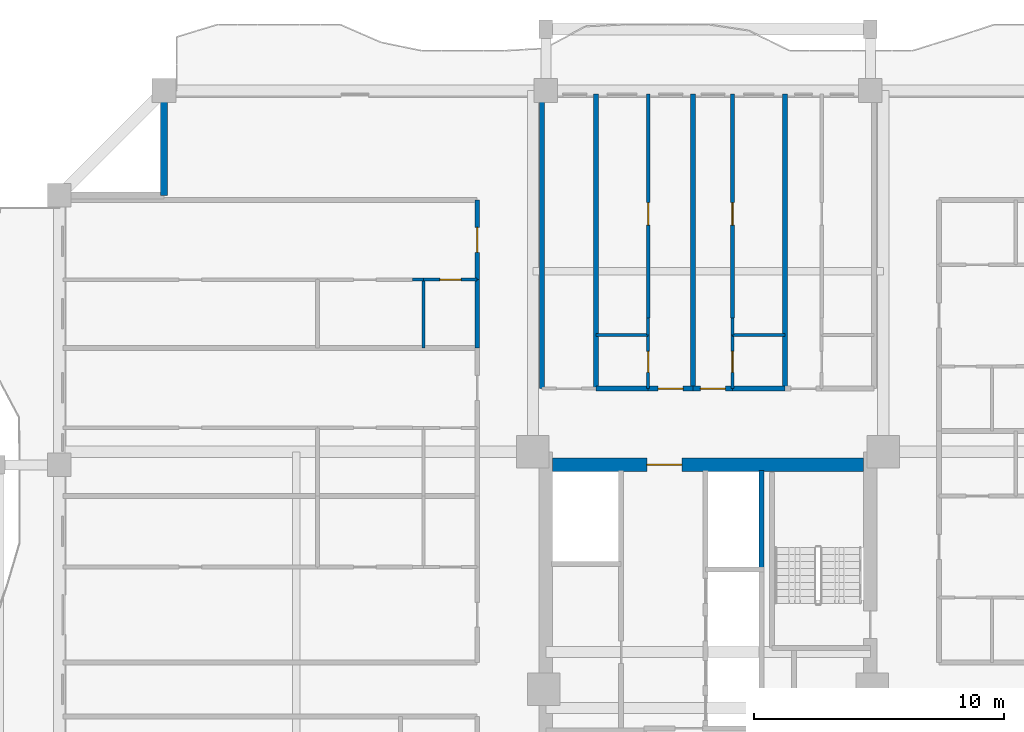
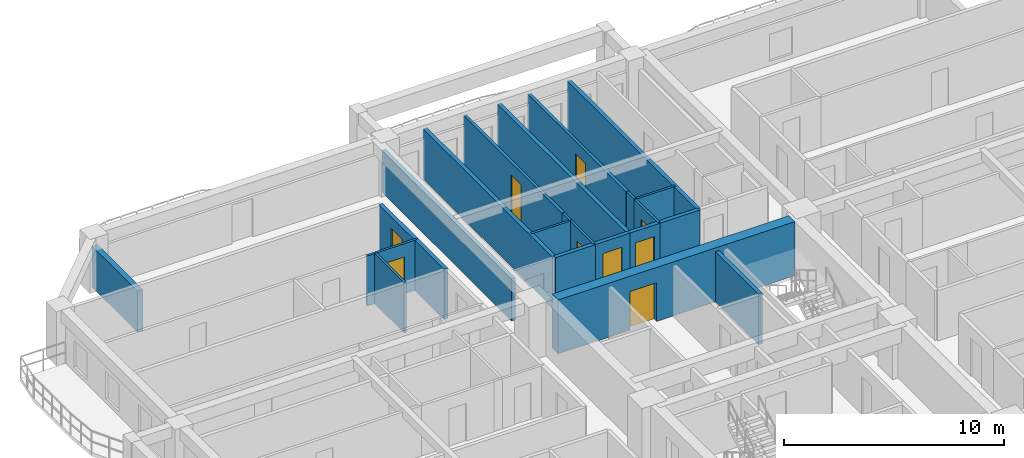
# One storey, part 7 of 14: 24 walls, 9 doors, 9 openings.
"""IFC4 building model written with IfcOpenShell, lengths in metres."""

from ifc_helpers import new_model, si_unit, direction, frame, frame_2d, origin, place, context, subcontext, project, spatial, rectangle, extrude, source, transform, mapped, material, layer, layer_set, type_object, element, fill, save


model = new_model("IFC4")

# Units and contexts
model_context = context("Model", 3, precision=1e-05, world=origin(), true_north=direction((0.0, 1.0)))
body_context = subcontext(model_context, "Body", "Model", "MODEL_VIEW")
ifc_project = project(units=[si_unit("LENGTHUNIT", "METRE"), si_unit("AREAUNIT", "SQUARE_METRE"), si_unit("VOLUMEUNIT", "CUBIC_METRE"), si_unit("PLANEANGLEUNIT", "RADIAN"), si_unit("MASSUNIT", "GRAM", prefix="KILO")], contexts=[model_context])

# Site, building, storey
site_placement = place(None, origin())
site = spatial("IfcSite", under=ifc_project, at=site_placement, CompositionType="ELEMENT")
building_placement = place(site_placement, origin())
building = spatial("IfcBuilding", under=site, at=building_placement, Name="Saelheon Loggia Tower", CompositionType="ELEMENT")
storey_placement = place(building_placement, frame((0.0, 0.0, 113.85009765625)))
storey = spatial("IfcBuildingStorey", under=building, at=storey_placement, Name="L36", CompositionType="ELEMENT", Elevation=113.85009765625)

# Wall, opening, door
ifc_material_1 = material(Name="Concrete C50/60", Category="concrete")
ifc_layer_1 = layer(ifc_material_1, 0.550048828125)
ifc_layer_set_1 = layer_set([ifc_layer_1], Name="Concrete C50/60")
wall_type_1 = type_object("IfcWallType", Name="Wall_CoreShear_550", PredefinedType="SHEAR", material=ifc_layer_set_1)
wall_1_placement = place(storey_placement, frame((31.77490234375, 36.0, 0.0), z_axis=(0.0, 0.0, 1.0), x_axis=(1.0, 0.0, 0.0)))
wall_1 = element("IfcWall", 1, at=wall_1_placement, inside=storey, type_object=wall_type_1, Name="L36 Core Shear Wall North", PredefinedType="SHEAR", context=body_context, shape_type="SweptSolid", body=[
    extrude(rectangle(XDim=12.4501953125, YDim=0.550048828125, at=frame_2d((6.22509765625, 0.0))), origin(), (0.0, 0.0, 1.0), 3.0),
])
opening_1_placement = place(wall_1_placement, frame((5.1748046875, 0.0, 0.0), z_axis=(0.0, 0.0, 1.0), x_axis=(-1.0, 0.0, 0.0)))
opening_1 = element("IfcOpeningElement", 2, at=opening_1_placement, cuts=wall_1, Name="Opening D-FD2L", PredefinedType="OPENING", context=body_context, shape_type="SweptSolid", body=[
    extrude(rectangle(XDim=1.39990234375, YDim=2.14990234375, at=frame_2d((0.699951171875, 1.074951171875))), frame((0.0, 0.287109375, 0.0), z_axis=(0.0, -1.0, 0.0), x_axis=(1.0, 0.0, 0.0)), (0.0, 0.0, 1.0), 0.573974609375),
])
ifc_material_2 = material(Name="Galvanised Steel Glazed Lobby Fire Door", Category="steel")
door_type_1 = type_object("IfcDoorType", Name="Door_Fire_FD60_1400", OperationType="NOTDEFINED", PredefinedType="DOOR", material=ifc_material_2)
shared_shape_1 = source(origin(), body_context, "Body", "SweptSolid", [
    extrude(rectangle(XDim=1.39990234375, YDim=2.14990234375, at=frame_2d((0.699951171875, 1.074951171875))), frame((0.0, 0.02490234375, 0.0), z_axis=(0.0, -1.0, 0.0), x_axis=(1.0, 0.0, 0.0)), (0.0, 0.0, 1.0), 0.050048828125),
])
door_1_placement = place(opening_1_placement, origin())
door_1 = element("IfcDoor", 3, at=door_1_placement, inside=storey, type_object=door_type_1, Name="L36 Passenger Lift Lobby Main Door", OperationType="SINGLE_SWING_RIGHT", OverallHeight=2.14990234375, OverallWidth=1.39990234375, PredefinedType="DOOR", context=body_context, shape_type="MappedRepresentation", body=[
    mapped(shared_shape_1, transform((0.0, 0.0, 0.0), scale=1.0)),
])
fill(opening_1, door_1)

# Wall
ifc_material_3 = material(Name="Architectural Precast Concrete C40/50", Category="concrete")
ifc_layer_2 = layer(ifc_material_3, 0.280029296875)
ifc_layer_set_2 = layer_set([ifc_layer_2], Name="Architectural Precast Concrete C40/50")
wall_type_2 = type_object("IfcWallType", Name="Wall_Ext_Loggia_280", PredefinedType="SOLIDWALL", material=ifc_layer_set_2)
wall_2_placement = place(storey_placement, frame((16.199951171875, 46.800048828125, 0.0), z_axis=(0.0, 0.0, 1.0), x_axis=(0.0, 1.0, 0.0)))
element("IfcWall", 4, at=wall_2_placement, inside=storey, type_object=wall_type_2, Name="L36 Corner Notch Precast Wall NW1", PredefinedType="SOLIDWALL", context=body_context, shape_type="SweptSolid", body=[
    extrude(rectangle(XDim=4.119873046875, YDim=0.280029296875, at=frame_2d((2.06005859375, 0.0))), origin(), (0.0, 0.0, 1.0), 2.27978515625),
])

# Wall, opening, door
ifc_material_4 = material(Name="Lightweight Autoclaved Aerated Concrete Block and Acoustic Gypsum", Category="concrete")
ifc_layer_3 = layer(ifc_material_4, 0.14990234375)
ifc_layer_set_3 = layer_set([ifc_layer_3], Name="Lightweight Autoclaved Aerated Concrete Block and Acoustic Gypsum")
wall_type_3 = type_object("IfcWallType", Name="Wall_Part_150", PredefinedType="PARTITIONING", material=ifc_layer_set_3)
wall_3_placement = place(storey_placement, frame((35.60009765625, 41.889892578125, 0.0), z_axis=(0.0, 0.0, 1.0), x_axis=(0.0, 1.0, 0.0)))
wall_3 = element("IfcWall", 5, at=wall_3_placement, inside=storey, type_object=wall_type_3, Name="L36 N Partition U10", PredefinedType="PARTITIONING", context=body_context, shape_type="SweptSolid", body=[
    extrude(rectangle(XDim=8.960205078125, YDim=0.14990234375, at=frame_2d((4.47998046875, 0.0))), origin(), (0.0, 0.0, 1.0), 2.789794921875),
])
opening_2_placement = place(wall_3_placement, frame((3.714111328125, 0.0, 0.0)))
opening_2 = element("IfcOpeningElement", 6, at=opening_2_placement, cuts=wall_3, Name="Opening D-IN2", PredefinedType="OPENING", context=body_context, shape_type="SweptSolid", body=[
    extrude(rectangle(XDim=0.89990234375, YDim=2.10009765625, at=frame_2d((0.449951171875, 1.050048828125))), frame((0.0, 0.0869140625, 0.0), z_axis=(0.0, -1.0, 0.0), x_axis=(1.0, 0.0, 0.0)), (0.0, 0.0, 1.0), 0.173828125),
])
ifc_material_5 = material(Name="Engineered Oak Flush Door", Category="timber")
door_type_2 = type_object("IfcDoorType", Name="Door_Int_900", OperationType="NOTDEFINED", PredefinedType="DOOR", material=ifc_material_5)
shared_shape_2 = source(origin(), body_context, "Body", "SweptSolid", [
    extrude(rectangle(XDim=0.89990234375, YDim=2.10009765625, at=frame_2d((0.449951171875, 1.050048828125))), frame((0.0, 0.02490234375, 0.0), z_axis=(0.0, -1.0, 0.0), x_axis=(1.0, 0.0, 0.0)), (0.0, 0.0, 1.0), 0.050048828125),
])
door_2_placement = place(opening_2_placement, origin())
door_2 = element("IfcDoor", 7, at=door_2_placement, inside=storey, type_object=door_type_2, Name="Unit U02 Kitchen Door", OperationType="SINGLE_SWING_RIGHT", OverallHeight=2.10009765625, OverallWidth=0.89990234375, PredefinedType="DOOR", context=body_context, shape_type="MappedRepresentation", body=[
    mapped(shared_shape_2, transform((0.0, 0.0, 0.0), scale=1.0)),
])
fill(opening_2, door_2)

wall_4_placement = place(storey_placement, frame((38.98193359375, 41.889892578125, 0.0), z_axis=(0.0, 0.0, 1.0), x_axis=(0.0, 1.0, 0.0)))
wall_4 = element("IfcWall", 8, at=wall_4_placement, inside=storey, type_object=wall_type_3, Name="L36 N Partition U17", PredefinedType="PARTITIONING", context=body_context, shape_type="SweptSolid", body=[
    extrude(rectangle(XDim=8.960205078125, YDim=0.14990234375, at=frame_2d((4.47998046875, 0.0))), origin(), (0.0, 0.0, 1.0), 2.789794921875),
])
opening_3_placement = place(wall_4_placement, frame((3.714111328125, 0.0, 0.0)))
opening_3 = element("IfcOpeningElement", 9, at=opening_3_placement, cuts=wall_4, Name="Opening D-IN2", PredefinedType="OPENING", context=body_context, shape_type="SweptSolid", body=[
    extrude(rectangle(XDim=0.89990234375, YDim=2.10009765625, at=frame_2d((0.449951171875, 1.050048828125))), frame((0.0, 0.0869140625, 0.0), z_axis=(0.0, -1.0, 0.0), x_axis=(1.0, 0.0, 0.0)), (0.0, 0.0, 1.0), 0.173828125),
])
door_3_placement = place(opening_3_placement, origin())
door_3 = element("IfcDoor", 10, at=door_3_placement, inside=storey, type_object=door_type_2, Name="Unit U03 Kitchen Door", OperationType="SINGLE_SWING_LEFT", OverallHeight=2.10009765625, OverallWidth=0.89990234375, PredefinedType="DOOR", context=body_context, shape_type="MappedRepresentation", body=[
    mapped(shared_shape_2, transform((0.0, 0.0, 0.0), scale=1.0)),
])
fill(opening_3, door_3)

# Walls
ifc_material_6 = material(Name="Double Acoustic Stud and Fireboard Partition", Category="gypsum")
ifc_layer_4 = layer(ifc_material_6, 0.199951171875)
ifc_layer_set_4 = layer_set([ifc_layer_4], Name="Double Acoustic Stud and Fireboard Partition")
wall_type_4 = type_object("IfcWallType", Name="Wall_Party_200", PredefinedType="PARTITIONING", material=ifc_layer_set_4)
wall_5_placement = place(storey_placement, frame((31.35009765625, 39.050048828125, 0.0), z_axis=(0.0, 0.0, 1.0), x_axis=(0.0, 1.0, 0.0)))
element("IfcWall", 11, at=wall_5_placement, inside=storey, type_object=wall_type_4, Name="L36 N Partition U01", PredefinedType="PARTITIONING", context=body_context, shape_type="SweptSolid", body=[
    extrude(rectangle(XDim=11.800048828125, YDim=0.199951171875, at=frame_2d((5.89990234375, 0.0))), origin(), (0.0, 0.0, 1.0), 2.33984375),
])
wall_6_placement = place(storey_placement, frame((33.5, 39.050048828125, 0.0), z_axis=(0.0, 0.0, 1.0), x_axis=(0.0, 1.0, 0.0)))
element("IfcWall", 12, at=wall_6_placement, inside=storey, type_object=wall_type_4, Name="L36 N Partition U03", PredefinedType="PARTITIONING", context=body_context, shape_type="SweptSolid", body=[
    extrude(rectangle(XDim=11.800048828125, YDim=0.199951171875, at=frame_2d((5.89990234375, 0.0))), origin(), (0.0, 0.0, 1.0), 2.789794921875),
])
wall_7_placement = place(storey_placement, frame((33.5, 39.050048828125, 0.0), z_axis=(0.0, 0.0, 1.0), x_axis=(1.0, 0.0, 0.0)))
element("IfcWall", 13, at=wall_7_placement, inside=storey, type_object=wall_type_4, Name="L36 N Partition V05", PredefinedType="PARTITIONING", context=body_context, shape_type="SweptSolid", body=[
    extrude(rectangle(XDim=2.10009765625, YDim=0.199951171875, at=frame_2d((1.050048828125, 0.0))), origin(), (0.0, 0.0, 1.0), 2.789794921875),
])

# Wall, opening, door
wall_8_placement = place(storey_placement, frame((35.60009765625, 39.050048828125, 0.0), z_axis=(0.0, 0.0, 1.0), x_axis=(1.0, 0.0, 0.0)))
wall_8 = element("IfcWall", 14, at=wall_8_placement, inside=storey, type_object=wall_type_4, Name="L36 N Partition V06", PredefinedType="PARTITIONING", context=body_context, shape_type="SweptSolid", body=[
    extrude(rectangle(XDim=1.802490234375, YDim=0.199951171875, at=frame_2d((0.9013671875, 0.0))), origin(), (0.0, 0.0, 1.0), 2.789794921875),
])
opening_4_placement = place(wall_8_placement, frame((0.4013671875, 0.0, 0.0)))
opening_4 = element("IfcOpeningElement", 15, at=opening_4_placement, cuts=wall_8, Name="Opening D-FD1", PredefinedType="OPENING", context=body_context, shape_type="SweptSolid", body=[
    extrude(rectangle(XDim=1.0, YDim=2.14990234375, at=frame_2d((0.5, 1.074951171875))), frame((0.0, 0.112060546875, 0.0), z_axis=(0.0, -1.0, 0.0), x_axis=(1.0, 0.0, 0.0)), (0.0, 0.0, 1.0), 0.223876953125),
])
ifc_material_7 = material(Name="Fire-Rated Engineered Timber Entrance Door", Category="wood")
door_type_3 = type_object("IfcDoorType", Name="Door_Flat_FD30S", OperationType="NOTDEFINED", PredefinedType="DOOR", material=ifc_material_7)
shared_shape_3 = source(origin(), body_context, "Body", "SweptSolid", [
    extrude(rectangle(XDim=1.0, YDim=2.14990234375, at=frame_2d((0.5, 1.074951171875))), frame((0.0, 0.02490234375, 0.0), z_axis=(0.0, -1.0, 0.0), x_axis=(1.0, 0.0, 0.0)), (0.0, 0.0, 1.0), 0.050048828125),
])
door_4_placement = place(opening_4_placement, origin())
door_4 = element("IfcDoor", 16, at=door_4_placement, inside=storey, type_object=door_type_3, Name="Unit U02 Entrance Door", OperationType="SINGLE_SWING_RIGHT", OverallHeight=2.14990234375, OverallWidth=1.0, PredefinedType="DOOR", context=body_context, shape_type="MappedRepresentation", body=[
    mapped(shared_shape_3, transform((0.0, 0.0, 0.0), scale=1.0)),
])
fill(opening_4, door_4)

# Wall
wall_9_placement = place(storey_placement, frame((37.402587890625, 39.050048828125, 0.0), z_axis=(0.0, 0.0, 1.0), x_axis=(0.0, 1.0, 0.0)))
element("IfcWall", 17, at=wall_9_placement, inside=storey, type_object=wall_type_4, Name="L36 N Partition U11", PredefinedType="PARTITIONING", context=body_context, shape_type="SweptSolid", body=[
    extrude(rectangle(XDim=11.800048828125, YDim=0.199951171875, at=frame_2d((5.89990234375, 0.0))), origin(), (0.0, 0.0, 1.0), 2.789794921875),
])

# Wall, opening, door
wall_10_placement = place(storey_placement, frame((37.402587890625, 39.050048828125, 0.0), z_axis=(0.0, 0.0, 1.0), x_axis=(1.0, 0.0, 0.0)))
wall_10 = element("IfcWall", 18, at=wall_10_placement, inside=storey, type_object=wall_type_4, Name="L36 N Partition V12", PredefinedType="PARTITIONING", context=body_context, shape_type="SweptSolid", body=[
    extrude(rectangle(XDim=1.579345703125, YDim=0.199951171875, at=frame_2d((0.78955078125, 0.0))), origin(), (0.0, 0.0, 1.0), 2.789794921875),
])
opening_5_placement = place(wall_10_placement, frame((0.289794921875, 0.0, 0.0)))
opening_5 = element("IfcOpeningElement", 19, at=opening_5_placement, cuts=wall_10, Name="Opening D-FD1", PredefinedType="OPENING", context=body_context, shape_type="SweptSolid", body=[
    extrude(rectangle(XDim=1.0, YDim=2.14990234375, at=frame_2d((0.5, 1.074951171875))), frame((0.0, 0.112060546875, 0.0), z_axis=(0.0, -1.0, 0.0), x_axis=(1.0, 0.0, 0.0)), (0.0, 0.0, 1.0), 0.223876953125),
])
door_5_placement = place(opening_5_placement, origin())
door_5 = element("IfcDoor", 20, at=door_5_placement, inside=storey, type_object=door_type_3, Name="Unit U03 Entrance Door", OperationType="SINGLE_SWING_LEFT", OverallHeight=2.14990234375, OverallWidth=1.0, PredefinedType="DOOR", context=body_context, shape_type="MappedRepresentation", body=[
    mapped(shared_shape_3, transform((0.0, 0.0, 0.0), scale=1.0)),
])
fill(opening_5, door_5)

# Walls
wall_11_placement = place(storey_placement, frame((38.98193359375, 39.050048828125, 0.0), z_axis=(0.0, 0.0, 1.0), x_axis=(1.0, 0.0, 0.0)))
element("IfcWall", 21, at=wall_11_placement, inside=storey, type_object=wall_type_4, Name="L36 N Partition V13", PredefinedType="PARTITIONING", context=body_context, shape_type="SweptSolid", body=[
    extrude(rectangle(XDim=2.10009765625, YDim=0.199951171875, at=frame_2d((1.050048828125, 0.0))), origin(), (0.0, 0.0, 1.0), 2.789794921875),
])
wall_12_placement = place(storey_placement, frame((41.08203125, 39.050048828125, 0.0), z_axis=(0.0, 0.0, 1.0), x_axis=(0.0, 1.0, 0.0)))
element("IfcWall", 22, at=wall_12_placement, inside=storey, type_object=wall_type_4, Name="L36 N Partition U18", PredefinedType="PARTITIONING", context=body_context, shape_type="SweptSolid", body=[
    extrude(rectangle(XDim=11.800048828125, YDim=0.199951171875, at=frame_2d((5.89990234375, 0.0))), origin(), (0.0, 0.0, 1.0), 2.789794921875),
])
wall_13_placement = place(storey_placement, frame((28.75, 40.687255859375, 0.0), z_axis=(0.0, 0.0, 1.0), x_axis=(0.0, 1.0, 0.0)))
element("IfcWall", 23, at=wall_13_placement, inside=storey, type_object=wall_type_4, Name="L36 WN Partition V21", PredefinedType="PARTITIONING", context=body_context, shape_type="SweptSolid", body=[
    extrude(rectangle(XDim=2.72900390625, YDim=0.199951171875, at=frame_2d((1.364501953125, 0.0))), origin(), (0.0, 0.0, 1.0), 2.789794921875),
])

# Wall, opening, door
wall_14_placement = place(storey_placement, frame((28.75, 43.416259765625, 0.0), z_axis=(0.0, 0.0, 1.0), x_axis=(0.0, 1.0, 0.0)))
wall_14 = element("IfcWall", 24, at=wall_14_placement, inside=storey, type_object=wall_type_4, Name="L36 WN Partition V22", PredefinedType="PARTITIONING", context=body_context, shape_type="SweptSolid", body=[
    extrude(rectangle(XDim=3.203857421875, YDim=0.199951171875, at=frame_2d((1.60205078125, 0.0))), origin(), (0.0, 0.0, 1.0), 2.789794921875),
])
opening_6_placement = place(wall_14_placement, frame((1.101806640625, 0.0, 0.0)))
opening_6 = element("IfcOpeningElement", 25, at=opening_6_placement, cuts=wall_14, Name="Opening D-FD1", PredefinedType="OPENING", context=body_context, shape_type="SweptSolid", body=[
    extrude(rectangle(XDim=1.0, YDim=2.14990234375, at=frame_2d((0.5, 1.074951171875))), frame((0.0, 0.112060546875, 0.0), z_axis=(0.0, -1.0, 0.0), x_axis=(1.0, 0.0, 0.0)), (0.0, 0.0, 1.0), 0.223876953125),
])
door_6_placement = place(opening_6_placement, origin())
door_6 = element("IfcDoor", 26, at=door_6_placement, inside=storey, type_object=door_type_3, Name="Unit U09 Entrance Door", OperationType="SINGLE_SWING_LEFT", OverallHeight=2.14990234375, OverallWidth=1.0, PredefinedType="DOOR", context=body_context, shape_type="MappedRepresentation", body=[
    mapped(shared_shape_3, transform((0.0, 0.0, 0.0), scale=1.0)),
])
fill(opening_6, door_6)

# Wall
ifc_material_8 = material(Name="Concrete C40/50", Category="concrete")
ifc_layer_5 = layer(ifc_material_8, 0.199951171875)
ifc_layer_set_5 = layer_set([ifc_layer_5], Name="Concrete C40/50")
wall_type_5 = type_object("IfcWallType", Name="Wall_Shaft_200", PredefinedType="PARTITIONING", material=ifc_layer_set_5)
wall_15_placement = place(storey_placement, frame((40.14990234375, 31.800048828125, 0.0), z_axis=(0.0, 0.0, 1.0), x_axis=(0.0, 1.0, 0.0)))
element("IfcWall", 27, at=wall_15_placement, inside=storey, type_object=wall_type_5, Name="L36 East High-Rise Hoistway East Wall", PredefinedType="PARTITIONING", context=body_context, shape_type="SweptSolid", body=[
    extrude(rectangle(XDim=3.97998046875, YDim=0.199951171875, at=frame_2d((1.989990234375, 0.0))), origin(), (0.0, 0.0, 1.0), 2.789794921875),
])

# Wall, opening, door
ifc_material_9 = material(Name="Moisture-Resistant Cement Board Partition", Category="gypsum")
ifc_layer_6 = layer(ifc_material_9, 0.1201171875)
ifc_layer_set_6 = layer_set([ifc_layer_6], Name="Moisture-Resistant Cement Board Partition")
wall_type_6 = type_object("IfcWallType", Name="Wall_WetPart_120", PredefinedType="PARTITIONING", material=ifc_layer_set_6)
wall_16_placement = place(storey_placement, frame((35.60009765625, 39.050048828125, 0.0), z_axis=(0.0, 0.0, 1.0), x_axis=(0.0, 1.0, 0.0)))
wall_16 = element("IfcWall", 28, at=wall_16_placement, inside=storey, type_object=wall_type_6, Name="L36 N Partition U07", PredefinedType="PARTITIONING", context=body_context, shape_type="SweptSolid", body=[
    extrude(rectangle(XDim=2.14990234375, YDim=0.1201171875, at=frame_2d((1.074951171875, 0.0))), origin(), (0.0, 0.0, 1.0), 2.789794921875),
])
opening_7_placement = place(wall_16_placement, frame((0.64990234375, 0.0, 0.0)))
opening_7 = element("IfcOpeningElement", 29, at=opening_7_placement, cuts=wall_16, Name="Opening D-BT1", PredefinedType="OPENING", context=body_context, shape_type="SweptSolid", body=[
    extrude(rectangle(XDim=0.85009765625, YDim=2.050048828125, at=frame_2d((0.425048828125, 1.02490234375))), frame((0.0, 0.072021484375, 0.0), z_axis=(0.0, -1.0, 0.0), x_axis=(1.0, 0.0, 0.0)), (0.0, 0.0, 1.0), 0.14404296875),
])
ifc_material_10 = material(Name="Moisture-Resistant Laminate Timber Door", Category="wood")
door_type_4 = type_object("IfcDoorType", Name="Door_Bath_850", OperationType="NOTDEFINED", PredefinedType="DOOR", material=ifc_material_10)
shared_shape_4 = source(origin(), body_context, "Body", "SweptSolid", [
    extrude(rectangle(XDim=0.85009765625, YDim=2.050048828125, at=frame_2d((0.425048828125, 1.02490234375))), frame((0.0, 0.02490234375, 0.0), z_axis=(0.0, -1.0, 0.0), x_axis=(1.0, 0.0, 0.0)), (0.0, 0.0, 1.0), 0.050048828125),
])
door_7_placement = place(opening_7_placement, origin())
door_7 = element("IfcDoor", 30, at=door_7_placement, inside=storey, type_object=door_type_4, Name="Unit U02 Bathroom Door", OperationType="SINGLE_SWING_LEFT", OverallHeight=2.050048828125, OverallWidth=0.85009765625, PredefinedType="DOOR", context=body_context, shape_type="MappedRepresentation", body=[
    mapped(shared_shape_4, transform((0.0, 0.0, 0.0), scale=1.0)),
])
fill(opening_7, door_7)

# Walls
wall_17_placement = place(storey_placement, frame((35.60009765625, 41.199951171875, 0.0), z_axis=(0.0, 0.0, 1.0), x_axis=(0.0, 1.0, 0.0)))
element("IfcWall", 31, at=wall_17_placement, inside=storey, type_object=wall_type_6, Name="L36 N Partition U08", PredefinedType="PARTITIONING", context=body_context, shape_type="SweptSolid", body=[
    extrude(rectangle(XDim=0.68994140625, YDim=0.1201171875, at=frame_2d((0.344970703125, 0.0))), origin(), (0.0, 0.0, 1.0), 2.789794921875),
])
wall_18_placement = place(storey_placement, frame((33.5, 41.199951171875, 0.0), z_axis=(0.0, 0.0, 1.0), x_axis=(1.0, 0.0, 0.0)))
element("IfcWall", 32, at=wall_18_placement, inside=storey, type_object=wall_type_6, Name="L36 N Partition V09", PredefinedType="PARTITIONING", context=body_context, shape_type="SweptSolid", body=[
    extrude(rectangle(XDim=2.10009765625, YDim=0.1201171875, at=frame_2d((1.050048828125, 0.0))), origin(), (0.0, 0.0, 1.0), 2.789794921875),
])

# Wall, opening, door
wall_19_placement = place(storey_placement, frame((38.98193359375, 39.050048828125, 0.0), z_axis=(0.0, 0.0, 1.0), x_axis=(0.0, 1.0, 0.0)))
wall_19 = element("IfcWall", 33, at=wall_19_placement, inside=storey, type_object=wall_type_6, Name="L36 N Partition U14", PredefinedType="PARTITIONING", context=body_context, shape_type="SweptSolid", body=[
    extrude(rectangle(XDim=2.14990234375, YDim=0.1201171875, at=frame_2d((1.074951171875, 0.0))), origin(), (0.0, 0.0, 1.0), 2.789794921875),
])
opening_8_placement = place(wall_19_placement, frame((0.64990234375, 0.0, 0.0)))
opening_8 = element("IfcOpeningElement", 34, at=opening_8_placement, cuts=wall_19, Name="Opening D-BT1", PredefinedType="OPENING", context=body_context, shape_type="SweptSolid", body=[
    extrude(rectangle(XDim=0.85009765625, YDim=2.050048828125, at=frame_2d((0.425048828125, 1.02490234375))), frame((0.0, 0.072021484375, 0.0), z_axis=(0.0, -1.0, 0.0), x_axis=(1.0, 0.0, 0.0)), (0.0, 0.0, 1.0), 0.14404296875),
])
door_8_placement = place(opening_8_placement, origin())
door_8 = element("IfcDoor", 35, at=door_8_placement, inside=storey, type_object=door_type_4, Name="Unit U03 Bathroom Door", OperationType="SINGLE_SWING_RIGHT", OverallHeight=2.050048828125, OverallWidth=0.85009765625, PredefinedType="DOOR", context=body_context, shape_type="MappedRepresentation", body=[
    mapped(shared_shape_4, transform((0.0, 0.0, 0.0), scale=1.0)),
])
fill(opening_8, door_8)

# Walls
wall_20_placement = place(storey_placement, frame((38.98193359375, 41.199951171875, 0.0), z_axis=(0.0, 0.0, 1.0), x_axis=(0.0, 1.0, 0.0)))
element("IfcWall", 36, at=wall_20_placement, inside=storey, type_object=wall_type_6, Name="L36 N Partition U15", PredefinedType="PARTITIONING", context=body_context, shape_type="SweptSolid", body=[
    extrude(rectangle(XDim=0.68994140625, YDim=0.1201171875, at=frame_2d((0.344970703125, 0.0))), origin(), (0.0, 0.0, 1.0), 2.789794921875),
])
wall_21_placement = place(storey_placement, frame((38.98193359375, 41.199951171875, 0.0), z_axis=(0.0, 0.0, 1.0), x_axis=(1.0, 0.0, 0.0)))
element("IfcWall", 37, at=wall_21_placement, inside=storey, type_object=wall_type_6, Name="L36 N Partition V16", PredefinedType="PARTITIONING", context=body_context, shape_type="SweptSolid", body=[
    extrude(rectangle(XDim=2.10009765625, YDim=0.1201171875, at=frame_2d((1.050048828125, 0.0))), origin(), (0.0, 0.0, 1.0), 2.789794921875),
])

# Wall, opening, door
wall_22_placement = place(storey_placement, frame((28.75, 43.416259765625, 0.0), z_axis=(0.0, 0.0, 1.0), x_axis=(-1.0, 0.0, 0.0)))
wall_22 = element("IfcWall", 38, at=wall_22_placement, inside=storey, type_object=wall_type_6, Name="L36 WN Partition U23", PredefinedType="PARTITIONING", context=body_context, shape_type="SweptSolid", body=[
    extrude(rectangle(XDim=2.14990234375, YDim=0.1201171875, at=frame_2d((1.074951171875, 0.0))), origin(), (0.0, 0.0, 1.0), 2.789794921875),
])
opening_9_placement = place(wall_22_placement, frame((0.64990234375, 0.0, 0.0)))
opening_9 = element("IfcOpeningElement", 39, at=opening_9_placement, cuts=wall_22, Name="Opening D-BT1", PredefinedType="OPENING", context=body_context, shape_type="SweptSolid", body=[
    extrude(rectangle(XDim=0.85009765625, YDim=2.050048828125, at=frame_2d((0.425048828125, 1.02490234375))), frame((0.0, 0.072021484375, 0.0), z_axis=(0.0, -1.0, 0.0), x_axis=(1.0, 0.0, 0.0)), (0.0, 0.0, 1.0), 0.14404296875),
])
door_9_placement = place(opening_9_placement, origin())
door_9 = element("IfcDoor", 40, at=door_9_placement, inside=storey, type_object=door_type_4, Name="Unit U09 Bathroom Door", OperationType="SINGLE_SWING_RIGHT", OverallHeight=2.050048828125, OverallWidth=0.85009765625, PredefinedType="DOOR", context=body_context, shape_type="MappedRepresentation", body=[
    mapped(shared_shape_4, transform((0.0, 0.0, 0.0), scale=1.0)),
])
fill(opening_9, door_9)

# Walls
wall_23_placement = place(storey_placement, frame((26.60009765625, 43.416259765625, 0.0), z_axis=(0.0, 0.0, 1.0), x_axis=(-1.0, 0.0, 0.0)))
element("IfcWall", 41, at=wall_23_placement, inside=storey, type_object=wall_type_6, Name="L36 WN Partition U24", PredefinedType="PARTITIONING", context=body_context, shape_type="SweptSolid", body=[
    extrude(rectangle(XDim=0.4501953125, YDim=0.1201171875, at=frame_2d((0.22509765625, 0.0))), origin(), (0.0, 0.0, 1.0), 2.789794921875),
])
wall_24_placement = place(storey_placement, frame((26.60009765625, 40.687255859375, 0.0), z_axis=(0.0, 0.0, 1.0), x_axis=(0.0, 1.0, 0.0)))
element("IfcWall", 42, at=wall_24_placement, inside=storey, type_object=wall_type_6, Name="L36 WN Partition V25", PredefinedType="PARTITIONING", context=body_context, shape_type="SweptSolid", body=[
    extrude(rectangle(XDim=2.72900390625, YDim=0.1201171875, at=frame_2d((1.364501953125, 0.0))), origin(), (0.0, 0.0, 1.0), 2.789794921875),
])

save(model, "model.ifc")
